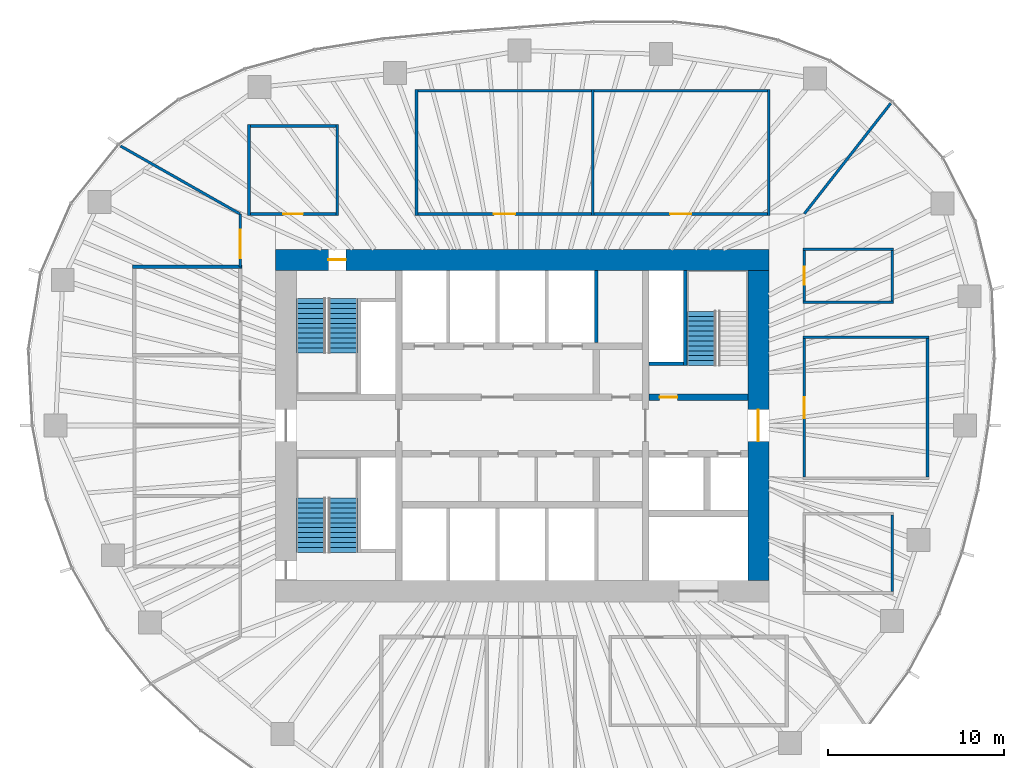
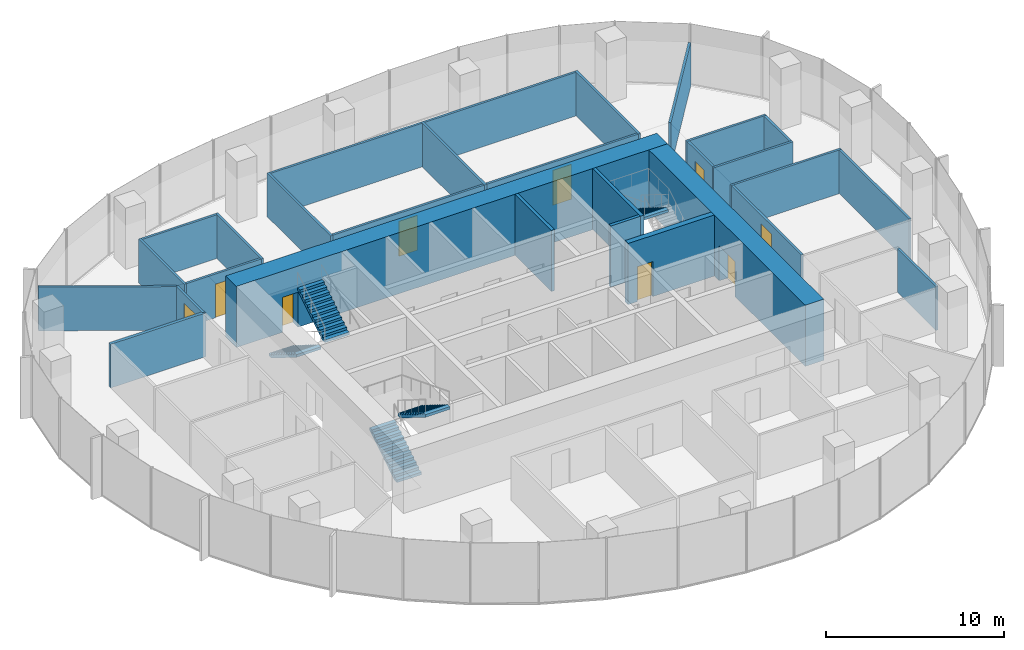
# One storey, part 10 of 12: 29 walls, 9 doors, 5 stair flights, 9 openings, 3 elements without a shape of their own.
"""IFC4 building model written with IfcOpenShell, lengths in metres."""

from ifc_helpers import new_model, si_unit, direction, frame, frame_2d, origin, place, context, subcontext, project, spatial, polyline, rectangle, outline, extrude, material, layer, layer_set, type_object, element, fill, aggregate, save


model = new_model("IFC4")

# Units and contexts
model_context = context("Model", 3, precision=1e-05, world=origin(), true_north=direction((0.0, 1.0)))
body_context = subcontext(model_context, "Body", "Model", "MODEL_VIEW")
ifc_project = project(units=[si_unit("LENGTHUNIT", "METRE"), si_unit("AREAUNIT", "SQUARE_METRE"), si_unit("VOLUMEUNIT", "CUBIC_METRE"), si_unit("PLANEANGLEUNIT", "RADIAN"), si_unit("MASSUNIT", "GRAM", prefix="KILO")], contexts=[model_context])

# Site, building, storey
site_placement = place(None, origin())
site = spatial("IfcSite", under=ifc_project, at=site_placement, CompositionType="ELEMENT")
building_placement = place(site_placement, origin())
building = spatial("IfcBuilding", under=site, at=building_placement, Name="Ghaith Harvest Tower", CompositionType="ELEMENT")
storey_placement = place(building_placement, frame((0.0, 0.0, 228.39990234375)))
storey = spatial("IfcBuildingStorey", under=building, at=storey_placement, Name="L50", CompositionType="ELEMENT", Elevation=228.39990234375)

# Wall
ifc_material_1 = material(Name="Twin-stud gypsum board, acoustic", Category="gypsum")
ifc_layer_1 = layer(ifc_material_1, 0.199951171875)
ifc_layer_set_1 = layer_set([ifc_layer_1], Name="ACOUSTIC PARTITION 200")
wall_type_1 = type_object("IfcWallType", Name="ACOUSTIC PARTITION 200", PredefinedType="PARTITIONING", material=ifc_layer_set_1)
wall_1_placement = place(storey_placement, frame((-15.89990234375, 9.0, 0.0), z_axis=(0.0, 0.0, 1.0), x_axis=(-1.0, 0.0, 0.0)))
element("IfcWall", 1, at=wall_1_placement, inside=storey, type_object=wall_type_1, Name="Partition L50 row W6 cross wall 5", PredefinedType="PARTITIONING", context=body_context, shape_type="SweptSolid", body=[
    extrude(rectangle(XDim=6.2001953125, YDim=0.199951171875, at=frame_2d((3.10009765625, 0.0))), origin(), (0.0, 0.0, 1.0), 3.0),
])

# Wall, opening, door
ifc_material_2 = material(Name="Concrete C60/75", Category="concrete")
ifc_layer_2 = layer(ifc_material_2, 1.199951171875)
ifc_layer_set_2 = layer_set([ifc_layer_2], Name="CORE WALL CW1200 C60")
wall_type_2 = type_object("IfcWallType", Name="CORE WALL CW1200 C60", PredefinedType="SHEAR", material=ifc_layer_set_2)
wall_2_placement = place(storey_placement, frame((14.0, 9.39990234375, 0.0), z_axis=(0.0, 0.0, 1.0), x_axis=(-1.0, 0.0, 0.0)))
wall_2 = element("IfcWall", 2, at=wall_2_placement, inside=storey, type_object=wall_type_2, Name="Core wall N L50", PredefinedType="SHEAR", context=body_context, shape_type="SweptSolid", body=[
    extrude(rectangle(XDim=28.0, YDim=1.199951171875, at=frame_2d((14.0, 0.0))), origin(), (0.0, 0.0, 1.0), 4.2001953125),
])
opening_1_placement = place(wall_2_placement, frame((24.0, 0.0, 0.0)))
opening_1 = element("IfcOpeningElement", 3, at=opening_1_placement, cuts=wall_2, Name="Opening 50-005", PredefinedType="OPENING", context=body_context, shape_type="SweptSolid", body=[
    extrude(rectangle(XDim=1.0, YDim=2.39990234375, at=frame_2d((0.5, 1.199951171875))), frame((0.0, 0.60986328125, 0.0), z_axis=(0.0, -1.0, 0.0), x_axis=(1.0, 0.0, 0.0)), (0.0, 0.0, 1.0), 1.219970703125),
])
ifc_material_3 = material(Name="Steel fire door", Category="steel")
door_type_1 = type_object("IfcDoorType", Name="D3 FD90 1000x2400", OperationType="SINGLE_SWING_LEFT", PredefinedType="DOOR", material=ifc_material_3)
door_1_placement = place(opening_1_placement, origin())
door_1 = element("IfcDoor", 4, at=door_1_placement, inside=storey, type_object=door_type_1, Name="Stair ST1 door", OperationType="SINGLE_SWING_RIGHT", OverallHeight=2.39990234375, OverallWidth=1.0, PredefinedType="DOOR", context=body_context, shape_type="SweptSolid", body=[
    extrude(rectangle(XDim=1.0, YDim=2.39990234375, at=frame_2d((0.5, 1.199951171875))), frame((0.0, 0.02490234375, 0.0), z_axis=(0.0, -1.0, 0.0), x_axis=(1.0, 0.0, 0.0)), (0.0, 0.0, 1.0), 0.050048828125),
])
fill(opening_1, door_1)

wall_3_placement = place(storey_placement, frame((13.39990234375, -8.800048828125, 0.0), z_axis=(0.0, 0.0, 1.0), x_axis=(0.0, 1.0, 0.0)))
wall_3 = element("IfcWall", 5, at=wall_3_placement, inside=storey, type_object=wall_type_2, Name="Core wall E L50", PredefinedType="SHEAR", context=body_context, shape_type="SweptSolid", body=[
    extrude(rectangle(XDim=17.60009765625, YDim=1.199951171875, at=frame_2d((8.800048828125, 0.0))), origin(), (0.0, 0.0, 1.0), 4.2001953125),
])
opening_2_placement = place(wall_3_placement, frame((7.89990234375, 0.0, 0.0)))
opening_2 = element("IfcOpeningElement", 6, at=opening_2_placement, cuts=wall_3, Name="Opening 50-002", PredefinedType="OPENING", context=body_context, shape_type="SweptSolid", body=[
    extrude(rectangle(XDim=1.800048828125, YDim=2.39990234375, at=frame_2d((0.89990234375, 1.199951171875))), frame((0.0, 0.60986328125, 0.0), z_axis=(0.0, -1.0, 0.0), x_axis=(1.0, 0.0, 0.0)), (0.0, 0.0, 1.0), 1.219970703125),
])
ifc_material_4 = material(Name="Steel fire door", Category="steel")
door_type_2 = type_object("IfcDoorType", Name="D4 FD90 PAIR 1800x2400", OperationType="DOUBLE_DOOR_SINGLE_SWING", PredefinedType="DOOR", material=ifc_material_4)
door_2_placement = place(opening_2_placement, origin())
door_2 = element("IfcDoor", 7, at=door_2_placement, inside=storey, type_object=door_type_2, Name="Fire-fighting lobby doors", OperationType="DOUBLE_DOOR_SINGLE_SWING", OverallHeight=2.39990234375, OverallWidth=1.800048828125, PredefinedType="DOOR", context=body_context, shape_type="SweptSolid", body=[
    extrude(rectangle(XDim=1.800048828125, YDim=2.39990234375, at=frame_2d((0.89990234375, 1.199951171875))), frame((0.0, 0.02490234375, 0.0), z_axis=(0.0, -1.0, 0.0), x_axis=(1.0, 0.0, 0.0)), (0.0, 0.0, 1.0), 0.050048828125),
])
fill(opening_2, door_2)

# Walls
ifc_material_5 = material(Name="Concrete blockwork, 2-hour", Category="masonry")
ifc_layer_3 = layer(ifc_material_5, 0.199951171875)
ifc_layer_set_3 = layer_set([ifc_layer_3], Name="LIFT SHAFT WALL 200")
wall_type_3 = type_object("IfcWallType", Name="LIFT SHAFT WALL 200", PredefinedType="PARTITIONING", material=ifc_layer_set_3)
wall_4_placement = place(storey_placement, frame((4.199951171875, 4.699951171875, 0.0), z_axis=(0.0, 0.0, 1.0), x_axis=(0.0, 1.0, 0.0)))
element("IfcWall", 8, at=wall_4_placement, inside=storey, type_object=wall_type_3, Name="Lift shaft wall L50", PredefinedType="PARTITIONING", context=body_context, shape_type="SweptSolid", body=[
    extrude(rectangle(XDim=4.10009765625, YDim=0.199951171875, at=frame_2d((2.050048828125, 0.0))), origin(), (0.0, 0.0, 1.0), 4.2001953125),
])
ifc_material_6 = material(Name="Gypsum board on steel studs", Category="steel")
ifc_layer_4 = layer(ifc_material_6, 0.14990234375)
ifc_layer_set_4 = layer_set([ifc_layer_4], Name="PARTITION 150")
wall_type_4 = type_object("IfcWallType", Name="PARTITION 150", PredefinedType="PARTITIONING", material=ifc_layer_set_4)
for number, where, z_axis, x_axis, name in (
    (9, (-6.0, 11.925048828125, 0.0), (0.0, 0.0, 1.0), (0.0, 1.0, 0.0), "Partition L50 row N1 cross wall 1"),
    (10, (4.0, 11.925048828125, 0.0), (0.0, 0.0, 1.0), (0.0, 1.0, 0.0), "Partition L50 row N1 cross wall 2"),
    (11, (14.0, 11.925048828125, 0.0), (0.0, 0.0, 1.0), (0.0, 1.0, 0.0), "Partition L50 row N1 cross wall 3"),
):
    element("IfcWall", number, at=place(storey_placement, frame(where, z_axis=z_axis, x_axis=x_axis)), inside=storey, type_object=wall_type_4, Name=name, PredefinedType="PARTITIONING", context=body_context, shape_type="SweptSolid", body=[
        extrude(rectangle(XDim=7.14990234375, YDim=0.14990234375, at=frame_2d((3.574951171875, 0.0))), origin(), (0.0, 0.0, 1.0), 3.0),
    ])

# Wall, opening, door
wall_5_placement = place(storey_placement, frame((-5.925048828125, 12.0, 0.0), z_axis=(0.0, 0.0, 1.0), x_axis=(1.0, 0.0, 0.0)))
wall_5 = element("IfcWall", 12, at=wall_5_placement, inside=storey, type_object=wall_type_4, Name="Partition L50-01", PredefinedType="PARTITIONING", context=body_context, shape_type="SweptSolid", body=[
    extrude(rectangle(XDim=9.85009765625, YDim=0.14990234375, at=frame_2d((4.925048828125, 0.0))), origin(), (0.0, 0.0, 1.0), 3.0),
])
opening_3_placement = place(wall_5_placement, frame((4.324951171875, 0.0, 0.0)))
opening_3 = element("IfcOpeningElement", 13, at=opening_3_placement, cuts=wall_5, Name="Opening 50-021", PredefinedType="OPENING", context=body_context, shape_type="SweptSolid", body=[
    extrude(rectangle(XDim=1.199951171875, YDim=2.39990234375, at=frame_2d((0.60009765625, 1.199951171875))), frame((0.0, 0.0849609375, 0.0), z_axis=(0.0, -1.0, 0.0), x_axis=(1.0, 0.0, 0.0)), (0.0, 0.0, 1.0), 0.169921875),
])
ifc_material_7 = material(Name="Timber door", Category="wood")
door_type_3 = type_object("IfcDoorType", Name="D11 GLAZED 1200x2400", OperationType="SINGLE_SWING_LEFT", PredefinedType="DOOR", material=ifc_material_7)
door_3_placement = place(opening_3_placement, origin())
door_3 = element("IfcDoor", 14, at=door_3_placement, inside=storey, type_object=door_type_3, Name="Research studio door", OperationType="SINGLE_SWING_LEFT", OverallHeight=2.39990234375, OverallWidth=1.199951171875, PredefinedType="DOOR", context=body_context, shape_type="SweptSolid", body=[
    extrude(rectangle(XDim=1.199951171875, YDim=2.39990234375, at=frame_2d((0.60009765625, 1.199951171875))), frame((0.0, 0.02490234375, 0.0), z_axis=(0.0, -1.0, 0.0), x_axis=(1.0, 0.0, 0.0)), (0.0, 0.0, 1.0), 0.050048828125),
])
fill(opening_3, door_3)

# Wall
wall_6_placement = place(storey_placement, frame((-5.925048828125, 19.0, 0.0), z_axis=(0.0, 0.0, 1.0), x_axis=(1.0, 0.0, 0.0)))
element("IfcWall", 15, at=wall_6_placement, inside=storey, type_object=wall_type_4, Name="Partition L50-01", PredefinedType="PARTITIONING", context=body_context, shape_type="SweptSolid", body=[
    extrude(rectangle(XDim=9.85009765625, YDim=0.14990234375, at=frame_2d((4.925048828125, 0.0))), origin(), (0.0, 0.0, 1.0), 3.0),
])

# Wall, opening, door
wall_7_placement = place(storey_placement, frame((4.074951171875, 12.0, 0.0), z_axis=(0.0, 0.0, 1.0), x_axis=(1.0, 0.0, 0.0)))
wall_7 = element("IfcWall", 16, at=wall_7_placement, inside=storey, type_object=wall_type_4, Name="Partition L50-02", PredefinedType="PARTITIONING", context=body_context, shape_type="SweptSolid", body=[
    extrude(rectangle(XDim=9.85009765625, YDim=0.14990234375, at=frame_2d((4.925048828125, 0.0))), origin(), (0.0, 0.0, 1.0), 3.0),
])
opening_4_placement = place(wall_7_placement, frame((4.324951171875, 0.0, 0.0)))
opening_4 = element("IfcOpeningElement", 17, at=opening_4_placement, cuts=wall_7, Name="Opening 50-022", PredefinedType="OPENING", context=body_context, shape_type="SweptSolid", body=[
    extrude(rectangle(XDim=1.199951171875, YDim=2.39990234375, at=frame_2d((0.60009765625, 1.199951171875))), frame((0.0, 0.0849609375, 0.0), z_axis=(0.0, -1.0, 0.0), x_axis=(1.0, 0.0, 0.0)), (0.0, 0.0, 1.0), 0.169921875),
])
door_4_placement = place(opening_4_placement, origin())
door_4 = element("IfcDoor", 18, at=door_4_placement, inside=storey, type_object=door_type_3, Name="Research studio door", OperationType="SINGLE_SWING_LEFT", OverallHeight=2.39990234375, OverallWidth=1.199951171875, PredefinedType="DOOR", context=body_context, shape_type="SweptSolid", body=[
    extrude(rectangle(XDim=1.199951171875, YDim=2.39990234375, at=frame_2d((0.60009765625, 1.199951171875))), frame((0.0, 0.02490234375, 0.0), z_axis=(0.0, -1.0, 0.0), x_axis=(1.0, 0.0, 0.0)), (0.0, 0.0, 1.0), 0.050048828125),
])
fill(opening_4, door_4)

# Walls
wall_8_placement = place(storey_placement, frame((4.074951171875, 19.0, 0.0), z_axis=(0.0, 0.0, 1.0), x_axis=(1.0, 0.0, 0.0)))
element("IfcWall", 19, at=wall_8_placement, inside=storey, type_object=wall_type_4, Name="Partition L50-02", PredefinedType="PARTITIONING", context=body_context, shape_type="SweptSolid", body=[
    extrude(rectangle(XDim=9.85009765625, YDim=0.14990234375, at=frame_2d((4.925048828125, 0.0))), origin(), (0.0, 0.0, 1.0), 3.0),
])
for number, where, z_axis, x_axis, name in (
    (20, (-15.5, 11.925048828125, 0.0), (0.0, 0.0, 1.0), (0.0, 1.0, 0.0), "Partition L50 row N2 cross wall 1"),
    (21, (-10.5, 11.925048828125, 0.0), (0.0, 0.0, 1.0), (0.0, 1.0, 0.0), "Partition L50 row N2 cross wall 2"),
):
    element("IfcWall", number, at=place(storey_placement, frame(where, z_axis=z_axis, x_axis=x_axis)), inside=storey, type_object=wall_type_4, Name=name, PredefinedType="PARTITIONING", context=body_context, shape_type="SweptSolid", body=[
        extrude(rectangle(XDim=5.14990234375, YDim=0.14990234375, at=frame_2d((2.574951171875, 0.0))), origin(), (0.0, 0.0, 1.0), 3.0),
    ])

# Wall, opening, door
wall_9_placement = place(storey_placement, frame((-15.425048828125, 12.0, 0.0), z_axis=(0.0, 0.0, 1.0), x_axis=(1.0, 0.0, 0.0)))
wall_9 = element("IfcWall", 22, at=wall_9_placement, inside=storey, type_object=wall_type_4, Name="Partition L50-03", PredefinedType="PARTITIONING", context=body_context, shape_type="SweptSolid", body=[
    extrude(rectangle(XDim=4.85009765625, YDim=0.14990234375, at=frame_2d((2.425048828125, 0.0))), origin(), (0.0, 0.0, 1.0), 3.0),
])
opening_5_placement = place(wall_9_placement, frame((1.875, 0.0, 0.0)))
opening_5 = element("IfcOpeningElement", 23, at=opening_5_placement, cuts=wall_9, Name="Opening 50-023", PredefinedType="OPENING", context=body_context, shape_type="SweptSolid", body=[
    extrude(rectangle(XDim=1.10009765625, YDim=2.300048828125, at=frame_2d((0.550048828125, 1.14990234375))), frame((0.0, 0.0849609375, 0.0), z_axis=(0.0, -1.0, 0.0), x_axis=(1.0, 0.0, 0.0)), (0.0, 0.0, 1.0), 0.169921875),
])
ifc_material_8 = material(Name="Timber-framed glazed door", Category="wood")
door_type_4 = type_object("IfcDoorType", Name="D12 GLAZED OFFICE 1100x2300", OperationType="SINGLE_SWING_LEFT", PredefinedType="DOOR", material=ifc_material_8)
door_5_placement = place(opening_5_placement, origin())
door_5 = element("IfcDoor", 24, at=door_5_placement, inside=storey, type_object=door_type_4, Name="Office door", OperationType="SINGLE_SWING_LEFT", OverallHeight=2.300048828125, OverallWidth=1.10009765625, PredefinedType="DOOR", context=body_context, shape_type="SweptSolid", body=[
    extrude(rectangle(XDim=1.10009765625, YDim=2.300048828125, at=frame_2d((0.550048828125, 1.14990234375))), frame((0.0, 0.02490234375, 0.0), z_axis=(0.0, -1.0, 0.0), x_axis=(1.0, 0.0, 0.0)), (0.0, 0.0, 1.0), 0.050048828125),
])
fill(opening_5, door_5)

# Walls
wall_10_placement = place(storey_placement, frame((-15.425048828125, 17.0, 0.0), z_axis=(0.0, 0.0, 1.0), x_axis=(1.0, 0.0, 0.0)))
element("IfcWall", 25, at=wall_10_placement, inside=storey, type_object=wall_type_4, Name="Partition L50-03", PredefinedType="PARTITIONING", context=body_context, shape_type="SweptSolid", body=[
    extrude(rectangle(XDim=4.85009765625, YDim=0.14990234375, at=frame_2d((2.425048828125, 0.0))), origin(), (0.0, 0.0, 1.0), 3.0),
])
wall_11_placement = place(storey_placement, frame((15.925048828125, 5.0, 0.0), z_axis=(0.0, 0.0, 1.0), x_axis=(1.0, 0.0, 0.0)))
element("IfcWall", 26, at=wall_11_placement, inside=storey, type_object=wall_type_4, Name="Partition L50 row E5 cross wall 2", PredefinedType="PARTITIONING", context=body_context, shape_type="SweptSolid", body=[
    extrude(rectangle(XDim=7.14990234375, YDim=0.14990234375, at=frame_2d((3.574951171875, 0.0))), origin(), (0.0, 0.0, 1.0), 3.0),
])

# Wall, opening, door
wall_12_placement = place(storey_placement, frame((16.0, -2.925048828125, 0.0), z_axis=(0.0, 0.0, 1.0), x_axis=(0.0, 1.0, 0.0)))
wall_12 = element("IfcWall", 27, at=wall_12_placement, inside=storey, type_object=wall_type_4, Name="Partition L50-08", PredefinedType="PARTITIONING", context=body_context, shape_type="SweptSolid", body=[
    extrude(rectangle(XDim=7.85009765625, YDim=0.14990234375, at=frame_2d((3.925048828125, 0.0))), origin(), (0.0, 0.0, 1.0), 3.0),
])
opening_6_placement = place(wall_12_placement, frame((3.324951171875, 0.0, 0.0)))
opening_6 = element("IfcOpeningElement", 28, at=opening_6_placement, cuts=wall_12, Name="Opening 50-028", PredefinedType="OPENING", context=body_context, shape_type="SweptSolid", body=[
    extrude(rectangle(XDim=1.199951171875, YDim=2.39990234375, at=frame_2d((0.60009765625, 1.199951171875))), frame((0.0, 0.0849609375, 0.0), z_axis=(0.0, -1.0, 0.0), x_axis=(1.0, 0.0, 0.0)), (0.0, 0.0, 1.0), 0.169921875),
])
door_6_placement = place(opening_6_placement, origin())
door_6 = element("IfcDoor", 29, at=door_6_placement, inside=storey, type_object=door_type_3, Name="Operations room door", OperationType="SINGLE_SWING_LEFT", OverallHeight=2.39990234375, OverallWidth=1.199951171875, PredefinedType="DOOR", context=body_context, shape_type="SweptSolid", body=[
    extrude(rectangle(XDim=1.199951171875, YDim=2.39990234375, at=frame_2d((0.60009765625, 1.199951171875))), frame((0.0, 0.02490234375, 0.0), z_axis=(0.0, -1.0, 0.0), x_axis=(1.0, 0.0, 0.0)), (0.0, 0.0, 1.0), 0.050048828125),
])
fill(opening_6, door_6)

# Walls
wall_13_placement = place(storey_placement, frame((23.0, -2.925048828125, 0.0), z_axis=(0.0, 0.0, 1.0), x_axis=(0.0, 1.0, 0.0)))
element("IfcWall", 30, at=wall_13_placement, inside=storey, type_object=wall_type_4, Name="Partition L50-08", PredefinedType="PARTITIONING", context=body_context, shape_type="SweptSolid", body=[
    extrude(rectangle(XDim=7.85009765625, YDim=0.14990234375, at=frame_2d((3.925048828125, 0.0))), origin(), (0.0, 0.0, 1.0), 3.0),
])
for number, where, z_axis, x_axis, name in (
    (31, (15.925048828125, 7.0, 0.0), (0.0, 0.0, 1.0), (1.0, 0.0, 0.0), "Partition L50 row E7 cross wall 1"),
    (32, (15.925048828125, 10.0, 0.0), (0.0, 0.0, 1.0), (1.0, 0.0, 0.0), "Partition L50 row E7 cross wall 2"),
):
    element("IfcWall", number, at=place(storey_placement, frame(where, z_axis=z_axis, x_axis=x_axis)), inside=storey, type_object=wall_type_4, Name=name, PredefinedType="PARTITIONING", context=body_context, shape_type="SweptSolid", body=[
        extrude(rectangle(XDim=5.14990234375, YDim=0.14990234375, at=frame_2d((2.574951171875, 0.0))), origin(), (0.0, 0.0, 1.0), 3.0),
    ])

# Wall, opening, door
wall_14_placement = place(storey_placement, frame((16.0, 7.074951171875, 0.0), z_axis=(0.0, 0.0, 1.0), x_axis=(0.0, 1.0, 0.0)))
wall_14 = element("IfcWall", 33, at=wall_14_placement, inside=storey, type_object=wall_type_4, Name="Partition L50-13", PredefinedType="PARTITIONING", context=body_context, shape_type="SweptSolid", body=[
    extrude(rectangle(XDim=2.85009765625, YDim=0.14990234375, at=frame_2d((1.425048828125, 0.0))), origin(), (0.0, 0.0, 1.0), 3.0),
])
opening_7_placement = place(wall_14_placement, frame((0.925048828125, 0.0, 0.0)))
opening_7 = element("IfcOpeningElement", 34, at=opening_7_placement, cuts=wall_14, Name="Opening 50-033", PredefinedType="OPENING", context=body_context, shape_type="SweptSolid", body=[
    extrude(rectangle(XDim=1.0, YDim=2.199951171875, at=frame_2d((0.5, 1.10009765625))), frame((0.0, 0.0849609375, 0.0), z_axis=(0.0, -1.0, 0.0), x_axis=(1.0, 0.0, 0.0)), (0.0, 0.0, 1.0), 0.169921875),
])
ifc_material_9 = material(Name="Timber door", Category="wood")
door_type_5 = type_object("IfcDoorType", Name="D1 SINGLE 1000x2200", OperationType="SINGLE_SWING_LEFT", PredefinedType="DOOR", material=ifc_material_9)
door_7_placement = place(opening_7_placement, origin())
door_7 = element("IfcDoor", 35, at=door_7_placement, inside=storey, type_object=door_type_5, Name="Store door", OperationType="SINGLE_SWING_LEFT", OverallHeight=2.199951171875, OverallWidth=1.0, PredefinedType="DOOR", context=body_context, shape_type="SweptSolid", body=[
    extrude(rectangle(XDim=1.0, YDim=2.199951171875, at=frame_2d((0.5, 1.10009765625))), frame((0.0, 0.02490234375, 0.0), z_axis=(0.0, -1.0, 0.0), x_axis=(1.0, 0.0, 0.0)), (0.0, 0.0, 1.0), 0.050048828125),
])
fill(opening_7, door_7)

# Walls
wall_15_placement = place(storey_placement, frame((21.0, 7.074951171875, 0.0), z_axis=(0.0, 0.0, 1.0), x_axis=(0.0, 1.0, 0.0)))
element("IfcWall", 36, at=wall_15_placement, inside=storey, type_object=wall_type_4, Name="Partition L50-13", PredefinedType="PARTITIONING", context=body_context, shape_type="SweptSolid", body=[
    extrude(rectangle(XDim=2.85009765625, YDim=0.14990234375, at=frame_2d((1.425048828125, 0.0))), origin(), (0.0, 0.0, 1.0), 3.0),
])
wall_16_placement = place(storey_placement, frame((21.0, -9.425048828125, 0.0), z_axis=(0.0, 0.0, 1.0), x_axis=(0.0, 1.0, 0.0)))
element("IfcWall", 37, at=wall_16_placement, inside=storey, type_object=wall_type_4, Name="Partition L50-14", PredefinedType="PARTITIONING", context=body_context, shape_type="SweptSolid", body=[
    extrude(rectangle(XDim=4.35009765625, YDim=0.14990234375, at=frame_2d((2.175048828125, 0.0))), origin(), (0.0, 0.0, 1.0), 3.0),
])
wall_17_placement = place(storey_placement, frame((-16.017333984375, 12.010009765625, 0.0), z_axis=(0.0, 0.0, 1.0), x_axis=(-0.869357432803, 0.494183826151, 0.0)))
element("IfcWall", 38, at=wall_17_placement, inside=storey, type_object=wall_type_4, Name="Partition L50 zone division", PredefinedType="PARTITIONING", context=body_context, shape_type="SweptSolid", body=[
    extrude(rectangle(XDim=7.791259765625, YDim=0.14990234375, at=frame_2d((3.8955078125, 0.0))), origin(), (0.0, 0.0, 1.0), 3.0),
])
wall_18_placement = place(storey_placement, frame((16.01220703125, 12.015625, 0.0), z_axis=(0.0, 0.0, 1.0), x_axis=(0.616030058222, 0.787722646219, 0.0)))
element("IfcWall", 39, at=wall_18_placement, inside=storey, type_object=wall_type_4, Name="Partition L50 zone division", PredefinedType="PARTITIONING", context=body_context, shape_type="SweptSolid", body=[
    extrude(rectangle(XDim=7.95166015625, YDim=0.14990234375, at=frame_2d((3.975830078125, 0.0))), origin(), (0.0, 0.0, 1.0), 3.0),
])

# Wall, opening, door
wall_19_placement = place(storey_placement, frame((-16.0, 12.0, 0.0), z_axis=(0.0, 0.0, 1.0), x_axis=(0.0, -1.0, 0.0)))
wall_19 = element("IfcWall", 40, at=wall_19_placement, inside=storey, type_object=wall_type_4, Name="Partition L50 zone enclosure", PredefinedType="PARTITIONING", context=body_context, shape_type="SweptSolid", body=[
    extrude(rectangle(XDim=3.0, YDim=0.14990234375, at=frame_2d((1.5, 0.0))), origin(), (0.0, 0.0, 1.0), 3.0),
])
opening_8_placement = place(wall_19_placement, frame((0.89990234375, 0.0, 0.0)))
opening_8 = element("IfcOpeningElement", 41, at=opening_8_placement, cuts=wall_19, Name="Opening 50-035", PredefinedType="OPENING", context=body_context, shape_type="SweptSolid", body=[
    extrude(rectangle(XDim=1.60009765625, YDim=2.39990234375, at=frame_2d((0.800048828125, 1.199951171875))), frame((0.0, 0.0849609375, 0.0), z_axis=(0.0, -1.0, 0.0), x_axis=(1.0, 0.0, 0.0)), (0.0, 0.0, 1.0), 0.169921875),
])
ifc_material_10 = material(Name="Timber door", Category="wood")
door_type_6 = type_object("IfcDoorType", Name="D2 PAIR 1600x2400", OperationType="DOUBLE_DOOR_SINGLE_SWING", PredefinedType="DOOR", material=ifc_material_10)
door_8_placement = place(opening_8_placement, origin())
door_8 = element("IfcDoor", 42, at=door_8_placement, inside=storey, type_object=door_type_6, Name="Research workplace west door", OperationType="DOUBLE_DOOR_SINGLE_SWING", OverallHeight=2.39990234375, OverallWidth=1.60009765625, PredefinedType="DOOR", context=body_context, shape_type="SweptSolid", body=[
    extrude(rectangle(XDim=1.60009765625, YDim=2.39990234375, at=frame_2d((0.800048828125, 1.199951171875))), frame((0.0, 0.02490234375, 0.0), z_axis=(0.0, -1.0, 0.0), x_axis=(1.0, 0.0, 0.0)), (0.0, 0.0, 1.0), 0.050048828125),
])
fill(opening_8, door_8)

ifc_material_11 = material(Name="Concrete C60/75", Category="concrete")
ifc_layer_5 = layer(ifc_material_11, 0.35009765625)
ifc_layer_set_5 = layer_set([ifc_layer_5], Name="SHAFT WALL 350")
wall_type_5 = type_object("IfcWallType", Name="SHAFT WALL 350", PredefinedType="SHEAR", material=ifc_layer_set_5)
wall_20_placement = place(storey_placement, frame((7.199951171875, 1.60009765625, 0.0), z_axis=(0.0, 0.0, 1.0), x_axis=(1.0, 0.0, 0.0)))
wall_20 = element("IfcWall", 43, at=wall_20_placement, inside=storey, type_object=wall_type_5, Name="Shaft wall EN L50", PredefinedType="SHEAR", context=body_context, shape_type="SweptSolid", body=[
    extrude(rectangle(XDim=5.60009765625, YDim=0.35009765625, at=frame_2d((2.800048828125, 0.0))), origin(), (0.0, 0.0, 1.0), 4.2001953125),
])
opening_9_placement = place(wall_20_placement, frame((0.60009765625, 0.0, 0.0)))
opening_9 = element("IfcOpeningElement", 44, at=opening_9_placement, cuts=wall_20, Name="Opening 50-007", PredefinedType="OPENING", context=body_context, shape_type="SweptSolid", body=[
    extrude(rectangle(XDim=1.0, YDim=2.39990234375, at=frame_2d((0.5, 1.199951171875))), frame((0.0, 0.18505859375, 0.0), z_axis=(0.0, -1.0, 0.0), x_axis=(1.0, 0.0, 0.0)), (0.0, 0.0, 1.0), 0.3701171875),
])
door_9_placement = place(opening_9_placement, origin())
door_9 = element("IfcDoor", 45, at=door_9_placement, inside=storey, type_object=door_type_1, Name="Stair ST2 door", OperationType="SINGLE_SWING_LEFT", OverallHeight=2.39990234375, OverallWidth=1.0, PredefinedType="DOOR", context=body_context, shape_type="SweptSolid", body=[
    extrude(rectangle(XDim=1.0, YDim=2.39990234375, at=frame_2d((0.5, 1.199951171875))), frame((0.0, 0.02490234375, 0.0), z_axis=(0.0, -1.0, 0.0), x_axis=(1.0, 0.0, 0.0)), (0.0, 0.0, 1.0), 0.050048828125),
])
fill(opening_9, door_9)

# Walls
ifc_material_12 = material(Name="Concrete C40/50", Category="concrete")
ifc_layer_6 = layer(ifc_material_12, 0.199951171875)
ifc_layer_set_6 = layer_set([ifc_layer_6], Name="STAIR SPINE WALL RC200")
wall_type_6 = type_object("IfcWallType", Name="STAIR SPINE WALL RC200", PredefinedType="SOLIDWALL", material=ifc_layer_set_6)
wall_21_placement = place(storey_placement, frame((9.25, 3.39990234375, 0.0), z_axis=(0.0, 0.0, 1.0), x_axis=(0.0, 1.0, 0.0)))
element("IfcWall", 46, at=wall_21_placement, inside=storey, type_object=wall_type_6, Name="Stair ST2 spine wall L50", PredefinedType="SOLIDWALL", context=body_context, shape_type="SweptSolid", body=[
    extrude(rectangle(XDim=5.400146484375, YDim=0.199951171875, at=frame_2d((2.7001953125, 0.0))), origin(), (0.0, 0.0, 1.0), 4.2001953125),
])
wall_22_placement = place(storey_placement, frame((9.14990234375, 3.5, 0.0), z_axis=(0.0, 0.0, 1.0), x_axis=(-1.0, 0.0, 0.0)))
element("IfcWall", 47, at=wall_22_placement, inside=storey, type_object=wall_type_6, Name="Stair ST2 spine wall return L50", PredefinedType="SOLIDWALL", context=body_context, shape_type="SweptSolid", body=[
    extrude(rectangle(XDim=1.949951171875, YDim=0.199951171875, at=frame_2d((0.97509765625, 0.0))), origin(), (0.0, 0.0, 1.0), 4.2001953125),
])

# Stair, stair flights
ifc_material_13 = material(Name="Concrete C40/50, precast", Category="concrete")
stair_type = type_object("IfcStairType", Name="CORE STAIR 24R", PredefinedType="HALF_TURN_STAIR", material=ifc_material_13)
stair_1_placement = place(storey_placement, origin())
stair_1 = element("IfcStair", 48, at=stair_1_placement, inside=storey, type_object=stair_type, Name="Stair ST1 L50", PredefinedType="HALF_TURN_STAIR")
ifc_material_14 = material(Name="Concrete C40/50, precast", Category="concrete")
stair_flight_type = type_object("IfcStairFlightType", Name="CORE FLIGHT 12R 1600", PredefinedType="STRAIGHT", material=ifc_material_14)
stair_flight_1_placement = place(storey_placement, frame((-12.0, 7.199951171875, 0.0), z_axis=(0.0, 0.0, 1.0), x_axis=(0.0, -1.0, 0.0)))
stair_flight_1 = element("IfcStairFlight", 49, at=stair_flight_1_placement, type_object=stair_flight_type, Name="ST1 flight 1", NumberOfRisers=12, NumberOfTreads=11, PredefinedType="STRAIGHT", RiserHeight=0.175, TreadLength=0.28, context=body_context, shape_type="SweptSolid", body=[
    extrude(outline(polyline([(0.0, 0.0), (0.0, 0.175048828125), (0.280029296875, 0.175048828125), (0.280029296875, 0.35009765625), (0.56005859375, 0.35009765625), (0.56005859375, 0.52490234375), (0.840087890625, 0.52490234375), (0.840087890625, 0.699951171875), (1.1201171875, 0.699951171875), (1.1201171875, 0.875), (1.39990234375, 0.875), (1.39990234375, 1.050048828125), (1.679931640625, 1.050048828125), (1.679931640625, 1.22509765625), (1.9599609375, 1.22509765625), (1.9599609375, 1.39990234375), (2.239990234375, 1.39990234375), (2.239990234375, 1.574951171875), (2.52001953125, 1.574951171875), (2.52001953125, 1.75), (2.800048828125, 1.75), (2.800048828125, 1.925048828125), (3.080078125, 1.925048828125), (3.080078125, 2.10009765625), (3.080078125, 1.748291015625), (0.28271484375, 0.0), (0.0, 0.0)])), frame((0.0, 0.800048828125, 0.0), z_axis=(0.0, -1.0, 0.0), x_axis=(1.0, 0.0, 0.0)), (0.0, 0.0, 1.0), 1.60009765625),
])
stair_flight_2_placement = place(storey_placement, frame((-10.14990234375, 4.1201171875, 2.10009765625), z_axis=(0.0, 0.0, 1.0), x_axis=(0.0, 1.0, 0.0)))
stair_flight_2 = element("IfcStairFlight", 50, at=stair_flight_2_placement, type_object=stair_flight_type, Name="ST1 flight 2", NumberOfRisers=12, NumberOfTreads=11, PredefinedType="STRAIGHT", RiserHeight=0.175, TreadLength=0.28, context=body_context, shape_type="SweptSolid", body=[
    extrude(outline(polyline([(0.0, 0.0), (0.0, 0.175048828125), (0.280029296875, 0.175048828125), (0.280029296875, 0.35009765625), (0.56005859375, 0.35009765625), (0.56005859375, 0.52490234375), (0.840087890625, 0.52490234375), (0.840087890625, 0.699951171875), (1.1201171875, 0.699951171875), (1.1201171875, 0.875), (1.39990234375, 0.875), (1.39990234375, 1.050048828125), (1.679931640625, 1.050048828125), (1.679931640625, 1.22509765625), (1.9599609375, 1.22509765625), (1.9599609375, 1.39990234375), (2.239990234375, 1.39990234375), (2.239990234375, 1.574951171875), (2.52001953125, 1.574951171875), (2.52001953125, 1.75), (2.800048828125, 1.75), (2.800048828125, 1.925048828125), (3.080078125, 1.925048828125), (3.080078125, 2.10009765625), (3.080078125, 1.748291015625), (0.28271484375, 0.0), (0.0, 0.0)])), frame((0.0, 0.800048828125, 0.0), z_axis=(0.0, -1.0, 0.0), x_axis=(1.0, 0.0, 0.0)), (0.0, 0.0, 1.0), 1.60009765625),
])
aggregate(stair_1, [stair_flight_1, stair_flight_2])

stair_2_placement = place(storey_placement, origin())
stair_2 = element("IfcStair", 51, at=stair_2_placement, inside=storey, type_object=stair_type, Name="Stair ST3 L50", PredefinedType="HALF_TURN_STAIR")
stair_flight_3_placement = place(storey_placement, frame((-12.0, -7.199951171875, 0.0), z_axis=(0.0, 0.0, 1.0), x_axis=(0.0, 1.0, 0.0)))
stair_flight_3 = element("IfcStairFlight", 52, at=stair_flight_3_placement, type_object=stair_flight_type, Name="ST3 flight 1", NumberOfRisers=12, NumberOfTreads=11, PredefinedType="STRAIGHT", RiserHeight=0.175, TreadLength=0.28, context=body_context, shape_type="SweptSolid", body=[
    extrude(outline(polyline([(0.0, 0.0), (0.0, 0.175048828125), (0.280029296875, 0.175048828125), (0.280029296875, 0.35009765625), (0.56005859375, 0.35009765625), (0.56005859375, 0.52490234375), (0.840087890625, 0.52490234375), (0.840087890625, 0.699951171875), (1.1201171875, 0.699951171875), (1.1201171875, 0.875), (1.39990234375, 0.875), (1.39990234375, 1.050048828125), (1.679931640625, 1.050048828125), (1.679931640625, 1.22509765625), (1.9599609375, 1.22509765625), (1.9599609375, 1.39990234375), (2.239990234375, 1.39990234375), (2.239990234375, 1.574951171875), (2.52001953125, 1.574951171875), (2.52001953125, 1.75), (2.800048828125, 1.75), (2.800048828125, 1.925048828125), (3.080078125, 1.925048828125), (3.080078125, 2.10009765625), (3.080078125, 1.748291015625), (0.28271484375, 0.0), (0.0, 0.0)])), frame((0.0, 0.800048828125, 0.0), z_axis=(0.0, -1.0, 0.0), x_axis=(1.0, 0.0, 0.0)), (0.0, 0.0, 1.0), 1.60009765625),
])
stair_flight_4_placement = place(storey_placement, frame((-10.14990234375, -4.1201171875, 2.10009765625), z_axis=(0.0, 0.0, 1.0), x_axis=(0.0, -1.0, 0.0)))
stair_flight_4 = element("IfcStairFlight", 53, at=stair_flight_4_placement, type_object=stair_flight_type, Name="ST3 flight 2", NumberOfRisers=12, NumberOfTreads=11, PredefinedType="STRAIGHT", RiserHeight=0.175, TreadLength=0.28, context=body_context, shape_type="SweptSolid", body=[
    extrude(outline(polyline([(0.0, 0.0), (0.0, 0.175048828125), (0.280029296875, 0.175048828125), (0.280029296875, 0.35009765625), (0.56005859375, 0.35009765625), (0.56005859375, 0.52490234375), (0.840087890625, 0.52490234375), (0.840087890625, 0.699951171875), (1.1201171875, 0.699951171875), (1.1201171875, 0.875), (1.39990234375, 0.875), (1.39990234375, 1.050048828125), (1.679931640625, 1.050048828125), (1.679931640625, 1.22509765625), (1.9599609375, 1.22509765625), (1.9599609375, 1.39990234375), (2.239990234375, 1.39990234375), (2.239990234375, 1.574951171875), (2.52001953125, 1.574951171875), (2.52001953125, 1.75), (2.800048828125, 1.75), (2.800048828125, 1.925048828125), (3.080078125, 1.925048828125), (3.080078125, 2.10009765625), (3.080078125, 1.748291015625), (0.28271484375, 0.0), (0.0, 0.0)])), frame((0.0, 0.800048828125, 0.0), z_axis=(0.0, -1.0, 0.0), x_axis=(1.0, 0.0, 0.0)), (0.0, 0.0, 1.0), 1.60009765625),
])
aggregate(stair_2, [stair_flight_3, stair_flight_4])

# Stair, stair flight
stair_3_placement = place(storey_placement, origin())
stair_3 = element("IfcStair", 54, at=stair_3_placement, inside=storey, type_object=stair_type, Name="Stair ST2 L50", PredefinedType="HALF_TURN_STAIR")
stair_flight_5_placement = place(storey_placement, frame((10.14990234375, 6.47998046875, 2.10009765625), z_axis=(0.0, 0.0, 1.0), x_axis=(0.0, -1.0, 0.0)))
stair_flight_5 = element("IfcStairFlight", 55, at=stair_flight_5_placement, type_object=stair_flight_type, Name="ST2 flight 2", NumberOfRisers=12, NumberOfTreads=11, PredefinedType="STRAIGHT", RiserHeight=0.175, TreadLength=0.28, context=body_context, shape_type="SweptSolid", body=[
    extrude(outline(polyline([(0.0, 0.0), (0.0, 0.175048828125), (0.280029296875, 0.175048828125), (0.280029296875, 0.35009765625), (0.56005859375, 0.35009765625), (0.56005859375, 0.52490234375), (0.840087890625, 0.52490234375), (0.840087890625, 0.699951171875), (1.1201171875, 0.699951171875), (1.1201171875, 0.875), (1.39990234375, 0.875), (1.39990234375, 1.050048828125), (1.679931640625, 1.050048828125), (1.679931640625, 1.22509765625), (1.9599609375, 1.22509765625), (1.9599609375, 1.39990234375), (2.239990234375, 1.39990234375), (2.239990234375, 1.574951171875), (2.52001953125, 1.574951171875), (2.52001953125, 1.75), (2.800048828125, 1.75), (2.800048828125, 1.925048828125), (3.080078125, 1.925048828125), (3.080078125, 2.10009765625), (3.080078125, 1.748291015625), (0.28271484375, 0.0), (0.0, 0.0)])), frame((0.0, 0.800048828125, 0.0), z_axis=(0.0, -1.0, 0.0), x_axis=(1.0, 0.0, 0.0)), (0.0, 0.0, 1.0), 1.60009765625),
])
aggregate(stair_3, [stair_flight_5])

save(model, "model.ifc")
